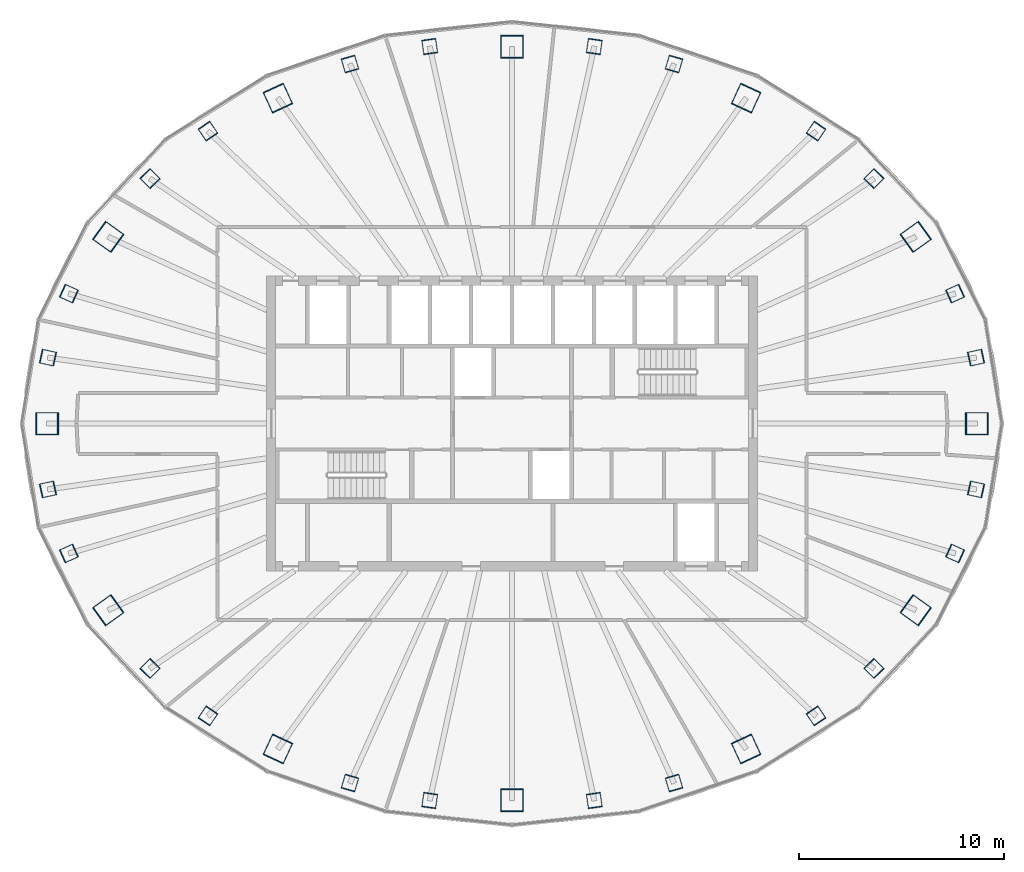
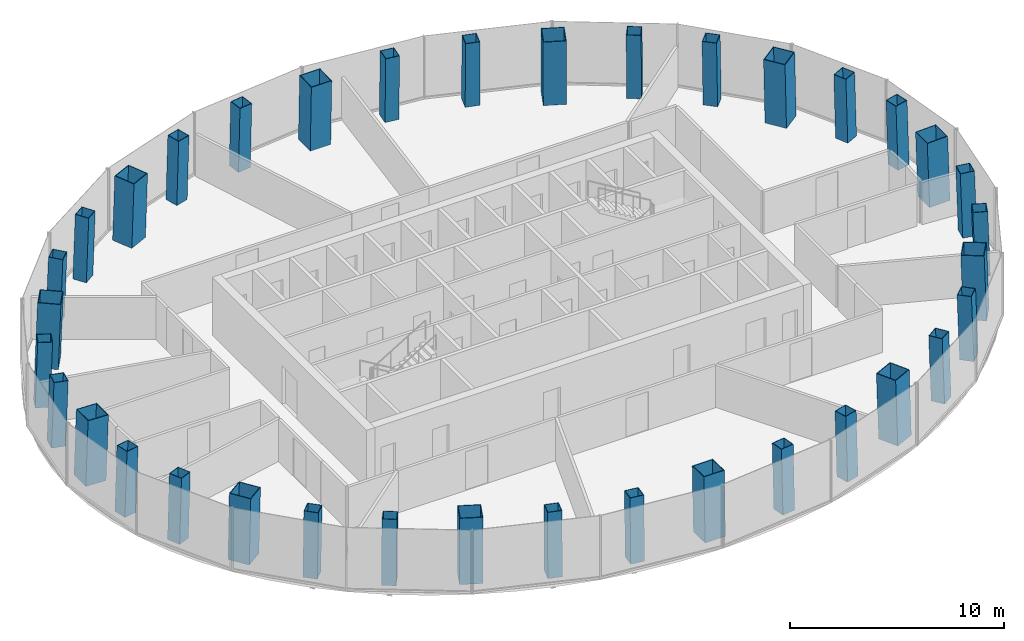
# One storey, part 1 of 10: 36 columns.
"""IFC4 building model written with IfcOpenShell, lengths in metres."""

from ifc_helpers import new_model, si_unit, direction, frame, origin, origin_2d, place, context, subcontext, project, spatial, hollow_rectangle, extrude, material, material_profile, profile_set, type_object, element, save


model = new_model("IFC4")

# Units and contexts
model_context = context("Model", 3, precision=1e-05, world=origin(), true_north=direction((0.0, 1.0)))
body_context = subcontext(model_context, "Body", "Model", "MODEL_VIEW")
ifc_project = project(units=[si_unit("LENGTHUNIT", "METRE"), si_unit("AREAUNIT", "SQUARE_METRE"), si_unit("VOLUMEUNIT", "CUBIC_METRE"), si_unit("PLANEANGLEUNIT", "RADIAN"), si_unit("MASSUNIT", "GRAM", prefix="KILO")], contexts=[model_context])

# Site, building, storey
site_placement = place(None, origin())
site = spatial("IfcSite", under=ifc_project, at=site_placement, CompositionType="ELEMENT")
building_placement = place(site_placement, origin())
building = spatial("IfcBuilding", under=site, at=building_placement, Name="Siaravel Broadcast Tower", CompositionType="ELEMENT")
storey_placement = place(building_placement, frame((0.0, 0.0, 164.5)))
storey = spatial("IfcBuildingStorey", under=building, at=storey_placement, Name="L39", CompositionType="ELEMENT", Elevation=164.5)

# Columns
ifc_material = material(Name="Concrete C60/75", Category="concrete")
ifc_material_profile_1 = material_profile(ifc_material, hollow_rectangle(XDim=1.10009765625, YDim=1.10009765625, WallThickness=0.031982421875, at=origin_2d()))
ifc_profile_set_1 = profile_set([ifc_material_profile_1], Name="Concrete C60/75")
column_type_1 = type_object("IfcColumnType", Name="COL-CFT BOX 1100x1100x32", PredefinedType="COLUMN", material=ifc_profile_set_1)
column_1_placement = place(storey_placement, frame((22.748779296875, 0.0, 0.0), z_axis=(-0.034621265, 0.0, 0.999400504), x_axis=(0.0, -1.0, 0.0)))
element("IfcColumn", 1, at=column_1_placement, inside=storey, type_object=column_type_1, Name="Megacolumn MC01", PredefinedType="COLUMN", context=body_context, shape_type="SweptSolid", body=[
    extrude(hollow_rectangle(XDim=1.10009765625, YDim=1.10009765625, WallThickness=0.031982421875, at=origin_2d()), origin(), (0.0, 0.0, 1.0), 3.7021484375),
])
column_2_placement = place(storey_placement, frame((19.754638671875, 9.1337890625, 0.0), z_axis=(-0.029940667, -0.01417895, 0.999451106), x_axis=(0.583519299, -0.812077403, 0.005959823)))
element("IfcColumn", 2, at=column_2_placement, inside=storey, type_object=column_type_1, Name="Megacolumn MC02", PredefinedType="COLUMN", context=body_context, shape_type="SweptSolid", body=[
    extrude(hollow_rectangle(XDim=1.10009765625, YDim=1.10009765625, WallThickness=0.031982421875, at=origin_2d()), origin(), (0.0, 0.0, 1.0), 3.701904296875),
])
column_3_placement = place(storey_placement, frame((11.4541015625, 15.92333984375, 0.0), z_axis=(-0.017280237, -0.024535299, 0.999549605), x_axis=(0.908176069, -0.418553199, 0.005426614)))
element("IfcColumn", 3, at=column_3_placement, inside=storey, type_object=column_type_1, Name="Megacolumn MC03", PredefinedType="COLUMN", context=body_context, shape_type="SweptSolid", body=[
    extrude(hollow_rectangle(XDim=1.10009765625, YDim=1.10009765625, WallThickness=0.031982421875, at=origin_2d()), origin(), (0.0, 0.0, 1.0), 3.70166015625),
])
column_4_placement = place(storey_placement, frame((0.0, 18.434814453125, 0.0), z_axis=(0.0, -0.028296154, 0.999599584), x_axis=(1.0, 0.0, 0.0)))
element("IfcColumn", 4, at=column_4_placement, inside=storey, type_object=column_type_1, Name="Megacolumn MC04", PredefinedType="COLUMN", context=body_context, shape_type="SweptSolid", body=[
    extrude(hollow_rectangle(XDim=1.10009765625, YDim=1.10009765625, WallThickness=0.031982421875, at=origin_2d()), origin(), (0.0, 0.0, 1.0), 3.701416015625),
])
column_5_placement = place(storey_placement, frame((-11.4541015625, 15.92333984375, 0.0), z_axis=(0.017280237, -0.024535299, 0.999549605), x_axis=(0.908176069, 0.418553199, -0.005426614)))
element("IfcColumn", 5, at=column_5_placement, inside=storey, type_object=column_type_1, Name="Megacolumn MC05", PredefinedType="COLUMN", context=body_context, shape_type="SweptSolid", body=[
    extrude(hollow_rectangle(XDim=1.10009765625, YDim=1.10009765625, WallThickness=0.031982421875, at=origin_2d()), origin(), (0.0, 0.0, 1.0), 3.70166015625),
])
column_6_placement = place(storey_placement, frame((-19.754638671875, 9.1337890625, 0.0), z_axis=(0.029940667, -0.01417895, 0.999451106), x_axis=(0.583519299, 0.812077403, -0.005959823)))
element("IfcColumn", 6, at=column_6_placement, inside=storey, type_object=column_type_1, Name="Megacolumn MC06", PredefinedType="COLUMN", context=body_context, shape_type="SweptSolid", body=[
    extrude(hollow_rectangle(XDim=1.10009765625, YDim=1.10009765625, WallThickness=0.031982421875, at=origin_2d()), origin(), (0.0, 0.0, 1.0), 3.701904296875),
])
column_7_placement = place(storey_placement, frame((-22.748779296875, 0.0, 0.0), z_axis=(0.034621265, 0.0, 0.999400504), x_axis=(0.0, 1.0, 0.0)))
element("IfcColumn", 7, at=column_7_placement, inside=storey, type_object=column_type_1, Name="Megacolumn MC07", PredefinedType="COLUMN", context=body_context, shape_type="SweptSolid", body=[
    extrude(hollow_rectangle(XDim=1.10009765625, YDim=1.10009765625, WallThickness=0.031982421875, at=origin_2d()), origin(), (0.0, 0.0, 1.0), 3.7021484375),
])
column_8_placement = place(storey_placement, frame((-19.754638671875, -9.1337890625, 0.0), z_axis=(0.029940667, 0.01417895, 0.999451106), x_axis=(-0.583519299, 0.812077403, 0.005959823)))
element("IfcColumn", 8, at=column_8_placement, inside=storey, type_object=column_type_1, Name="Megacolumn MC08", PredefinedType="COLUMN", context=body_context, shape_type="SweptSolid", body=[
    extrude(hollow_rectangle(XDim=1.10009765625, YDim=1.10009765625, WallThickness=0.031982421875, at=origin_2d()), origin(), (0.0, 0.0, 1.0), 3.701904296875),
])
column_9_placement = place(storey_placement, frame((-11.4541015625, -15.92333984375, 0.0), z_axis=(0.017280237, 0.024535299, 0.999549605), x_axis=(-0.908176069, 0.418553199, 0.005426614)))
element("IfcColumn", 9, at=column_9_placement, inside=storey, type_object=column_type_1, Name="Megacolumn MC09", PredefinedType="COLUMN", context=body_context, shape_type="SweptSolid", body=[
    extrude(hollow_rectangle(XDim=1.10009765625, YDim=1.10009765625, WallThickness=0.031982421875, at=origin_2d()), origin(), (0.0, 0.0, 1.0), 3.70166015625),
])
column_10_placement = place(storey_placement, frame((0.0, -18.434814453125, 0.0), z_axis=(0.0, 0.028296154, 0.999599584), x_axis=(-1.0, 0.0, 0.0)))
element("IfcColumn", 10, at=column_10_placement, inside=storey, type_object=column_type_1, Name="Megacolumn MC10", PredefinedType="COLUMN", context=body_context, shape_type="SweptSolid", body=[
    extrude(hollow_rectangle(XDim=1.10009765625, YDim=1.10009765625, WallThickness=0.031982421875, at=origin_2d()), origin(), (0.0, 0.0, 1.0), 3.701416015625),
])
column_11_placement = place(storey_placement, frame((11.4541015625, -15.92333984375, 0.0), z_axis=(-0.017280237, 0.024535299, 0.999549605), x_axis=(-0.908176069, -0.418553199, -0.005426614)))
element("IfcColumn", 11, at=column_11_placement, inside=storey, type_object=column_type_1, Name="Megacolumn MC11", PredefinedType="COLUMN", context=body_context, shape_type="SweptSolid", body=[
    extrude(hollow_rectangle(XDim=1.10009765625, YDim=1.10009765625, WallThickness=0.031982421875, at=origin_2d()), origin(), (0.0, 0.0, 1.0), 3.70166015625),
])
column_12_placement = place(storey_placement, frame((19.754638671875, -9.1337890625, 0.0), z_axis=(-0.029940667, 0.01417895, 0.999451106), x_axis=(-0.583519299, -0.812077403, -0.005959823)))
element("IfcColumn", 12, at=column_12_placement, inside=storey, type_object=column_type_1, Name="Megacolumn MC12", PredefinedType="COLUMN", context=body_context, shape_type="SweptSolid", body=[
    extrude(hollow_rectangle(XDim=1.10009765625, YDim=1.10009765625, WallThickness=0.031982421875, at=origin_2d()), origin(), (0.0, 0.0, 1.0), 3.701904296875),
])
ifc_material_profile_2 = material_profile(ifc_material, hollow_rectangle(XDim=0.699951171875, YDim=0.699951171875, WallThickness=0.02490234375, at=origin_2d()))
ifc_profile_set_2 = profile_set([ifc_material_profile_2], Name="Concrete C60/75")
column_type_2 = type_object("IfcColumnType", Name="COL-CFT BOX 700x700x25", PredefinedType="COLUMN", material=ifc_profile_set_2)
for number, where, z_axis, x_axis, name in (
    (13, (22.704345703125, 3.223876953125, 0.0), (-0.034028034, -0.004945935, 0.99940864), (0.213619131, -0.976913978, 0.002438728), "Perimeter column C01"),
    (14, (21.679443359375, 6.3564453125, 0.0), (-0.032511791, -0.009694185, 0.999424337), (0.410172028, -0.911997086, 0.004496947), "Perimeter column C02"),
):
    element("IfcColumn", number, at=place(storey_placement, frame(where, z_axis=z_axis, x_axis=x_axis)), inside=storey, type_object=column_type_2, Name=name, PredefinedType="COLUMN", context=body_context, shape_type="SweptSolid", body=[
        extrude(hollow_rectangle(XDim=0.699951171875, YDim=0.699951171875, WallThickness=0.02490234375, at=origin_2d()), origin(), (0.0, 0.0, 1.0), 3.7021484375),
    ])
column_13_placement = place(storey_placement, frame((17.71044921875, 11.984375, 0.0), z_axis=(-0.026512179, -0.018202391, 0.999482755), x_axis=(0.720189514, -0.693747225, 0.006469281)))
element("IfcColumn", 15, at=column_13_placement, inside=storey, type_object=column_type_2, Name="Perimeter column C03", PredefinedType="COLUMN", context=body_context, shape_type="SweptSolid", body=[
    extrude(hollow_rectangle(XDim=0.699951171875, YDim=0.699951171875, WallThickness=0.02490234375, at=origin_2d()), origin(), (0.0, 0.0, 1.0), 3.701904296875),
])
column_14_placement = place(storey_placement, frame((14.876708984375, 14.305419921875, 0.0), z_axis=(-0.022292044, -0.021764422, 0.99951457), x_axis=(0.828321508, -0.560217905, 0.006275207)))
element("IfcColumn", 16, at=column_14_placement, inside=storey, type_object=column_type_2, Name="Perimeter column C04", PredefinedType="COLUMN", context=body_context, shape_type="SweptSolid", body=[
    extrude(hollow_rectangle(XDim=0.699951171875, YDim=0.699951171875, WallThickness=0.02490234375, at=origin_2d()), origin(), (0.0, 0.0, 1.0), 3.70166015625),
])
for number, where, z_axis, x_axis, name in (
    (17, (7.92822265625, 17.590087890625, 0.0), (-0.011806266, -0.026646544, 0.999575197), (0.960096909, -0.279640535, 0.003885356), "Perimeter column C05"),
    (18, (4.02685546875, 18.4462890625, 0.0), (-0.006002173, -0.027900212, 0.999592693), (0.990152337, -0.139979266, 0.002038445), "Perimeter column C06"),
    (19, (-4.02685546875, 18.4462890625, 0.0), (0.006002173, -0.027900212, 0.999592693), (0.990152337, 0.139979266, -0.002038445), "Perimeter column C07"),
    (20, (-7.92822265625, 17.590087890625, 0.0), (0.011806266, -0.026646544, 0.999575197), (0.960096909, 0.279640535, -0.003885356), "Perimeter column C08"),
):
    element("IfcColumn", number, at=place(storey_placement, frame(where, z_axis=z_axis, x_axis=x_axis)), inside=storey, type_object=column_type_2, Name=name, PredefinedType="COLUMN", context=body_context, shape_type="SweptSolid", body=[
        extrude(hollow_rectangle(XDim=0.699951171875, YDim=0.699951171875, WallThickness=0.02490234375, at=origin_2d()), origin(), (0.0, 0.0, 1.0), 3.701416015625),
    ])
column_15_placement = place(storey_placement, frame((-14.876708984375, 14.305419921875, 0.0), z_axis=(0.022292044, -0.021764422, 0.99951457), x_axis=(0.828321508, 0.560217905, -0.006275207)))
element("IfcColumn", 21, at=column_15_placement, inside=storey, type_object=column_type_2, Name="Perimeter column C09", PredefinedType="COLUMN", context=body_context, shape_type="SweptSolid", body=[
    extrude(hollow_rectangle(XDim=0.699951171875, YDim=0.699951171875, WallThickness=0.02490234375, at=origin_2d()), origin(), (0.0, 0.0, 1.0), 3.70166015625),
])
column_16_placement = place(storey_placement, frame((-17.71044921875, 11.984375, 0.0), z_axis=(0.026512179, -0.018202391, 0.999482755), x_axis=(0.720189514, 0.693747225, -0.006469281)))
element("IfcColumn", 22, at=column_16_placement, inside=storey, type_object=column_type_2, Name="Perimeter column C10", PredefinedType="COLUMN", context=body_context, shape_type="SweptSolid", body=[
    extrude(hollow_rectangle(XDim=0.699951171875, YDim=0.699951171875, WallThickness=0.02490234375, at=origin_2d()), origin(), (0.0, 0.0, 1.0), 3.701904296875),
])
for number, where, z_axis, x_axis, name in (
    (23, (-21.679443359375, 6.3564453125, 0.0), (0.032511791, -0.009694185, 0.999424337), (0.410172028, 0.911997086, -0.004496947), "Perimeter column C11"),
    (24, (-22.704345703125, 3.223876953125, 0.0), (0.034028034, -0.004945935, 0.99940864), (0.213619131, 0.976913978, -0.002438728), "Perimeter column C12"),
    (25, (-22.704345703125, -3.223876953125, 0.0), (0.034028034, 0.004945935, 0.99940864), (-0.213619131, 0.976913978, 0.002438728), "Perimeter column C13"),
    (26, (-21.679443359375, -6.3564453125, 0.0), (0.032511791, 0.009694185, 0.999424337), (-0.410172028, 0.911997086, 0.004496947), "Perimeter column C14"),
):
    element("IfcColumn", number, at=place(storey_placement, frame(where, z_axis=z_axis, x_axis=x_axis)), inside=storey, type_object=column_type_2, Name=name, PredefinedType="COLUMN", context=body_context, shape_type="SweptSolid", body=[
        extrude(hollow_rectangle(XDim=0.699951171875, YDim=0.699951171875, WallThickness=0.02490234375, at=origin_2d()), origin(), (0.0, 0.0, 1.0), 3.7021484375),
    ])
column_17_placement = place(storey_placement, frame((-17.71044921875, -11.984375, 0.0), z_axis=(0.026512179, 0.018202391, 0.999482755), x_axis=(-0.720189514, 0.693747225, 0.006469281)))
element("IfcColumn", 27, at=column_17_placement, inside=storey, type_object=column_type_2, Name="Perimeter column C15", PredefinedType="COLUMN", context=body_context, shape_type="SweptSolid", body=[
    extrude(hollow_rectangle(XDim=0.699951171875, YDim=0.699951171875, WallThickness=0.02490234375, at=origin_2d()), origin(), (0.0, 0.0, 1.0), 3.701904296875),
])
column_18_placement = place(storey_placement, frame((-14.876708984375, -14.305419921875, 0.0), z_axis=(0.022292044, 0.021764422, 0.99951457), x_axis=(-0.828321508, 0.560217905, 0.006275207)))
element("IfcColumn", 28, at=column_18_placement, inside=storey, type_object=column_type_2, Name="Perimeter column C16", PredefinedType="COLUMN", context=body_context, shape_type="SweptSolid", body=[
    extrude(hollow_rectangle(XDim=0.699951171875, YDim=0.699951171875, WallThickness=0.02490234375, at=origin_2d()), origin(), (0.0, 0.0, 1.0), 3.70166015625),
])
for number, where, z_axis, x_axis, name in (
    (29, (-7.92822265625, -17.590087890625, 0.0), (0.011806266, 0.026646544, 0.999575197), (-0.960096909, 0.279640535, 0.003885356), "Perimeter column C17"),
    (30, (-4.02685546875, -18.4462890625, 0.0), (0.006002173, 0.027900212, 0.999592693), (-0.990152337, 0.139979266, 0.002038445), "Perimeter column C18"),
    (31, (4.02685546875, -18.4462890625, 0.0), (-0.006002173, 0.027900212, 0.999592693), (-0.990152337, -0.139979266, -0.002038445), "Perimeter column C19"),
    (32, (7.92822265625, -17.590087890625, 0.0), (-0.011806266, 0.026646544, 0.999575197), (-0.960096909, -0.279640535, -0.003885356), "Perimeter column C20"),
):
    element("IfcColumn", number, at=place(storey_placement, frame(where, z_axis=z_axis, x_axis=x_axis)), inside=storey, type_object=column_type_2, Name=name, PredefinedType="COLUMN", context=body_context, shape_type="SweptSolid", body=[
        extrude(hollow_rectangle(XDim=0.699951171875, YDim=0.699951171875, WallThickness=0.02490234375, at=origin_2d()), origin(), (0.0, 0.0, 1.0), 3.701416015625),
    ])
column_19_placement = place(storey_placement, frame((14.876708984375, -14.305419921875, 0.0), z_axis=(-0.022292044, 0.021764422, 0.99951457), x_axis=(-0.828321508, -0.560217905, -0.006275207)))
element("IfcColumn", 33, at=column_19_placement, inside=storey, type_object=column_type_2, Name="Perimeter column C21", PredefinedType="COLUMN", context=body_context, shape_type="SweptSolid", body=[
    extrude(hollow_rectangle(XDim=0.699951171875, YDim=0.699951171875, WallThickness=0.02490234375, at=origin_2d()), origin(), (0.0, 0.0, 1.0), 3.70166015625),
])
column_20_placement = place(storey_placement, frame((17.71044921875, -11.984375, 0.0), z_axis=(-0.026512179, 0.018202391, 0.999482755), x_axis=(-0.720189514, -0.693747225, -0.006469281)))
element("IfcColumn", 34, at=column_20_placement, inside=storey, type_object=column_type_2, Name="Perimeter column C22", PredefinedType="COLUMN", context=body_context, shape_type="SweptSolid", body=[
    extrude(hollow_rectangle(XDim=0.699951171875, YDim=0.699951171875, WallThickness=0.02490234375, at=origin_2d()), origin(), (0.0, 0.0, 1.0), 3.701904296875),
])
for number, where, z_axis, x_axis, name in (
    (35, (21.679443359375, -6.3564453125, 0.0), (-0.032511791, 0.009694185, 0.999424337), (-0.410172028, -0.911997086, -0.004496947), "Perimeter column C23"),
    (36, (22.704345703125, -3.223876953125, 0.0), (-0.034028034, 0.004945935, 0.99940864), (-0.213619131, -0.976913978, -0.002438728), "Perimeter column C24"),
):
    element("IfcColumn", number, at=place(storey_placement, frame(where, z_axis=z_axis, x_axis=x_axis)), inside=storey, type_object=column_type_2, Name=name, PredefinedType="COLUMN", context=body_context, shape_type="SweptSolid", body=[
        extrude(hollow_rectangle(XDim=0.699951171875, YDim=0.699951171875, WallThickness=0.02490234375, at=origin_2d()), origin(), (0.0, 0.0, 1.0), 3.7021484375),
    ])

save(model, "model.ifc")
